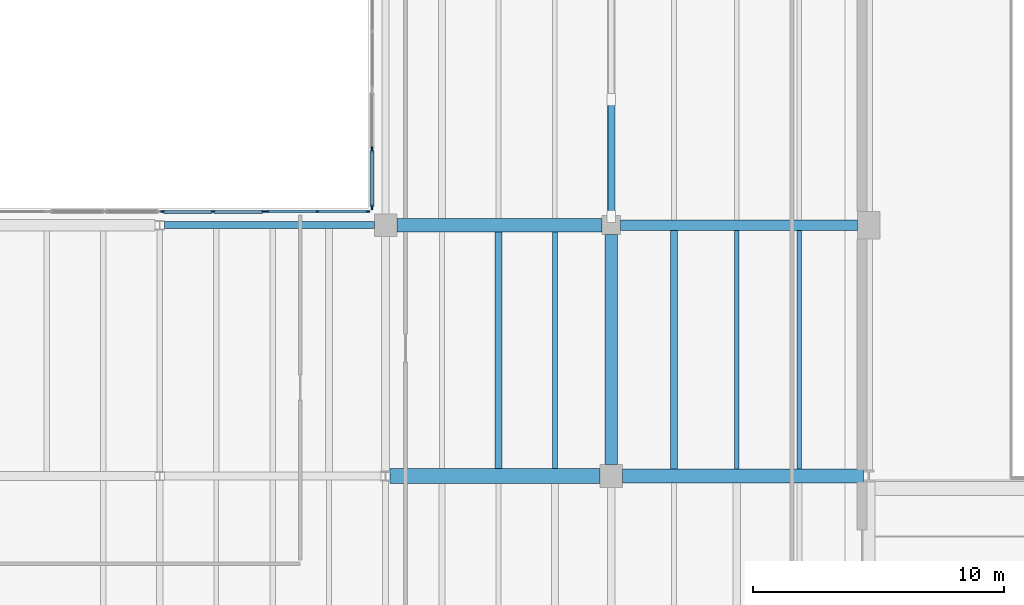
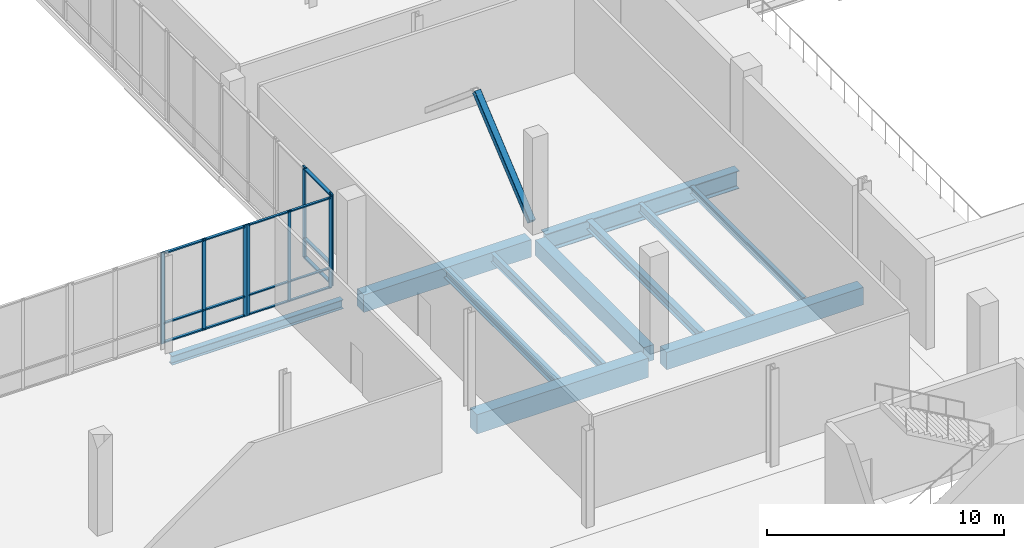
# One storey, part 21 of 73: 24 members, 11 beams, 3 elements without a shape of their own.
"""IFC4 building model written with IfcOpenShell, lengths in metres."""

from ifc_helpers import new_model, si_unit, direction, frame, origin, origin_2d, place, context, subcontext, project, spatial, rectangle, hollow_rectangle, i_section, extrude, material, material_profile, profile_set, type_object, element, aggregate, save


model = new_model("IFC4")

# Units and contexts
model_context = context("Model", 3, precision=1e-05, world=origin(), true_north=direction((0.0, 1.0)))
body_context = subcontext(model_context, "Body", "Model", "MODEL_VIEW")
ifc_project = project(units=[si_unit("LENGTHUNIT", "METRE"), si_unit("AREAUNIT", "SQUARE_METRE"), si_unit("VOLUMEUNIT", "CUBIC_METRE"), si_unit("PLANEANGLEUNIT", "RADIAN"), si_unit("MASSUNIT", "GRAM", prefix="KILO")], contexts=[model_context])

# Site, building, storey
site_placement = place(None, origin())
site = spatial("IfcSite", under=ifc_project, at=site_placement, CompositionType="ELEMENT")
building_placement = place(site_placement, origin())
building = spatial("IfcBuilding", under=site, at=building_placement, Name="Trimount Lyric Opera House", CompositionType="ELEMENT")
storey_placement = place(building_placement, frame((0.0, 0.0, 10.0)))
storey = spatial("IfcBuildingStorey", under=building, at=storey_placement, Name="L02", CompositionType="ELEMENT", Elevation=10.0)

# Beams
ifc_material_1 = material(Name="Steel ASTM A992 Grade 50", Category="steel")
ifc_material_profile_1 = material_profile(ifc_material_1, i_section(OverallWidth=0.4189453125, OverallDepth=0.927001953125, WebThickness=0.019287109375, FlangeThickness=0.031982421875, FilletRadius=0.02392578125, at=origin_2d()), Name="W36X231")
ifc_profile_set_1 = profile_set([ifc_material_profile_1], Name="Steel ASTM A992 Grade 50")
beam_type_1 = type_object("IfcBeamType", Name="B-02", PredefinedType="BEAM", material=ifc_profile_set_1)
beam_1_placement = place(storey_placement, frame((54.375, 74.0, -0.78857421875), z_axis=(1.0, 0.0, 0.0), x_axis=(0.0, 1.0, 0.0)))
element("IfcBeam", 1, at=beam_1_placement, inside=storey, type_object=beam_type_1, Name="L02 girder X-0767", PredefinedType="BEAM", context=body_context, shape_type="SweptSolid", body=[
    extrude(i_section(OverallWidth=0.4189453125, OverallDepth=0.927001953125, WebThickness=0.019287109375, FlangeThickness=0.031982421875, FilletRadius=0.02392578125, at=origin_2d()), origin(), (0.0, 0.0, 1.0), 9.43505859375),
])
ifc_material_2 = material(Name="Concrete C40/50", Category="concrete")
ifc_material_profile_2 = material_profile(ifc_material_2, rectangle(XDim=0.60009765625, YDim=1.0, at=origin_2d()), Name="RC600X1000")
ifc_profile_set_2 = profile_set([ifc_material_profile_2], Name="Concrete C40/50")
beam_type_2 = type_object("IfcBeamType", Name="B-13", PredefinedType="BEAM", material=ifc_profile_set_2)
beam_2_placement = place(storey_placement, frame((45.1865234375, 64.0, -0.780029296875), z_axis=(1.0, 0.0, 0.0), x_axis=(0.0, 1.0, 0.0)))
element("IfcBeam", 2, at=beam_2_placement, inside=storey, type_object=beam_type_2, Name="L02 girder X-0754", PredefinedType="BEAM", context=body_context, shape_type="SweptSolid", body=[
    extrude(rectangle(XDim=0.60009765625, YDim=1.0, at=origin_2d()), origin(), (0.0, 0.0, 1.0), 8.363525390625),
])
ifc_material_3 = material(Name="Concrete C40/50", Category="concrete")
ifc_material_profile_3 = material_profile(ifc_material_3, rectangle(XDim=0.550048828125, YDim=0.89990234375, at=origin_2d()), Name="RC550X900")
ifc_profile_set_3 = profile_set([ifc_material_profile_3], Name="Concrete C40/50")
beam_type_3 = type_object("IfcBeamType", Name="B-14", PredefinedType="BEAM", material=ifc_profile_set_3)
beam_3_placement = place(storey_placement, frame((54.449951171875, 64.0, -0.77490234375), z_axis=(1.0, 0.0, 0.0), x_axis=(0.0, 1.0, 0.0)))
element("IfcBeam", 3, at=beam_3_placement, inside=storey, type_object=beam_type_3, Name="L02 girder X-0755", PredefinedType="BEAM", context=body_context, shape_type="SweptSolid", body=[
    extrude(rectangle(XDim=0.550048828125, YDim=0.89990234375, at=origin_2d()), origin(), (0.0, 0.0, 1.0), 9.59912109375),
])
beam_4_placement = place(storey_placement, frame((45.449951171875, 74.0, -0.72998046875), z_axis=(1.0, 0.0, 0.0), x_axis=(0.0, 1.0, 0.0)))
element("IfcBeam", 4, at=beam_4_placement, inside=storey, type_object=beam_type_3, Name="L02 girder X-0766", PredefinedType="BEAM", context=body_context, shape_type="SweptSolid", body=[
    extrude(rectangle(XDim=0.550048828125, YDim=0.89990234375, at=origin_2d()), origin(), (0.0, 0.0, 1.0), 8.175048828125),
])
ifc_material_4 = material(Name="Concrete C40/50", Category="concrete")
ifc_material_profile_4 = material_profile(ifc_material_4, rectangle(XDim=0.5, YDim=0.800048828125, at=origin_2d()), Name="RC500X800")
ifc_profile_set_4 = profile_set([ifc_material_profile_4], Name="Concrete C40/50")
beam_type_4 = type_object("IfcBeamType", Name="B-15", PredefinedType="BEAM", material=ifc_profile_set_4)
beam_5_placement = place(storey_placement, frame((54.0, 64.449951171875, -0.679931640625), z_axis=(0.0, 1.0, 0.0), x_axis=(-1.0, 0.0, 0.0)))
element("IfcBeam", 5, at=beam_5_placement, inside=storey, type_object=beam_type_4, Name="L02 girder Y-0867", PredefinedType="BEAM", context=body_context, shape_type="SweptSolid", body=[
    extrude(rectangle(XDim=0.5, YDim=0.800048828125, at=origin_2d()), origin(), (0.0, 0.0, 1.0), 9.175048828125),
])

# Member
ifc_material_5 = material(Name="Steel ASTM A500 Grade C", Category="steel")
ifc_material_profile_5 = material_profile(ifc_material_5, hollow_rectangle(XDim=0.3046875, YDim=0.3046875, WallThickness=0.01171875, InnerFilletRadius=0.01220703125, OuterFilletRadius=0.02392578125, at=origin_2d()), Name="HSS304.8X304.8X12.7")
ifc_profile_set_5 = profile_set([ifc_material_profile_5], Name="Steel ASTM A500 Grade C")
member_type_1 = type_object("IfcMemberType", Name="BR-02", PredefinedType="BRACE", material=ifc_profile_set_5)
member_1_placement = place(storey_placement, frame((54.0, 74.35009765625, 0.14990234375), z_axis=(0.0, 0.766173014074, 0.642634353661), x_axis=(-1.0, 0.0, 0.0)))
element("IfcMember", 6, at=member_1_placement, inside=storey, type_object=member_type_1, Name="L02 lateral chevron brace BF-2.1", PredefinedType="BRACE", context=body_context, shape_type="SweptSolid", body=[
    extrude(hollow_rectangle(XDim=0.3046875, YDim=0.3046875, WallThickness=0.01171875, InnerFilletRadius=0.01220703125, OuterFilletRadius=0.02392578125, at=origin_2d()), origin(), (0.0, 0.0, 1.0), 6.069091796875),
])

# Beams
ifc_material_6 = material(Name="Steel ASTM A992 Grade 50", Category="steel")
ifc_material_profile_6 = material_profile(ifc_material_6, i_section(OverallWidth=0.281982421875, OverallDepth=0.467041015625, WebThickness=0.01220703125, FlangeThickness=0.01953125, FilletRadius=0.012939453125, at=origin_2d()), Name="W18X86")
ifc_profile_set_6 = profile_set([ifc_material_profile_6], Name="Steel ASTM A992 Grade 50")
beam_type_5 = type_object("IfcBeamType", Name="J-03", PredefinedType="BEAM", material=ifc_profile_set_6)
beam_6_placement = place(storey_placement, frame((49.5, 64.2958984375, -0.513427734375), z_axis=(0.0, 1.0, 0.0), x_axis=(-1.0, 0.0, 0.0)))
element("IfcBeam", 7, at=beam_6_placement, inside=storey, type_object=beam_type_5, Name="L02 composite floor joist 0858", PredefinedType="BEAM", context=body_context, shape_type="SweptSolid", body=[
    extrude(i_section(OverallWidth=0.281982421875, OverallDepth=0.467041015625, WebThickness=0.01220703125, FlangeThickness=0.01953125, FilletRadius=0.012939453125, at=origin_2d()), origin(), (0.0, 0.0, 1.0), 9.43310546875),
])
beam_7_placement = place(storey_placement, frame((56.5, 64.27099609375, -0.513427734375), z_axis=(0.0, 1.0, 0.0), x_axis=(-1.0, 0.0, 0.0)))
element("IfcBeam", 8, at=beam_7_placement, inside=storey, type_object=beam_type_5, Name="L02 composite floor joist 0884", PredefinedType="BEAM", context=body_context, shape_type="SweptSolid", body=[
    extrude(i_section(OverallWidth=0.281982421875, OverallDepth=0.467041015625, WebThickness=0.01220703125, FlangeThickness=0.01953125, FilletRadius=0.012939453125, at=origin_2d()), origin(), (0.0, 0.0, 1.0), 9.5234375),
])
ifc_material_7 = material(Name="Steel ASTM A992 Grade 50", Category="steel")
ifc_material_profile_7 = material_profile(ifc_material_7, i_section(OverallWidth=0.19091796875, OverallDepth=0.45703125, WebThickness=0.009033203125, FlangeThickness=0.014404296875, FilletRadius=0.010986328125, at=origin_2d()), Name="W18X50")
ifc_profile_set_7 = profile_set([ifc_material_profile_7], Name="Steel ASTM A992 Grade 50")
beam_type_6 = type_object("IfcBeamType", Name="J-04", PredefinedType="BEAM", material=ifc_profile_set_7)
beam_8_placement = place(storey_placement, frame((51.75, 64.2958984375, -0.508544921875), z_axis=(0.0, 1.0, 0.0), x_axis=(-1.0, 0.0, 0.0)))
element("IfcBeam", 9, at=beam_8_placement, inside=storey, type_object=beam_type_6, Name="L02 composite floor joist 0859", PredefinedType="BEAM", context=body_context, shape_type="SweptSolid", body=[
    extrude(i_section(OverallWidth=0.19091796875, OverallDepth=0.45703125, WebThickness=0.009033203125, FlangeThickness=0.014404296875, FilletRadius=0.010986328125, at=origin_2d()), origin(), (0.0, 0.0, 1.0), 9.43310546875),
])
beam_9_placement = place(storey_placement, frame((59.0, 64.27099609375, -0.508544921875), z_axis=(0.0, 1.0, 0.0), x_axis=(-1.0, 0.0, 0.0)))
element("IfcBeam", 10, at=beam_9_placement, inside=storey, type_object=beam_type_6, Name="L02 composite floor joist 0885", PredefinedType="BEAM", context=body_context, shape_type="SweptSolid", body=[
    extrude(i_section(OverallWidth=0.19091796875, OverallDepth=0.45703125, WebThickness=0.009033203125, FlangeThickness=0.014404296875, FilletRadius=0.010986328125, at=origin_2d()), origin(), (0.0, 0.0, 1.0), 9.5234375),
])
ifc_material_8 = material(Name="Steel ASTM A992 Grade 50", Category="steel")
ifc_material_profile_8 = material_profile(ifc_material_8, i_section(OverallWidth=0.180908203125, OverallDepth=0.4169921875, WebThickness=0.010986328125, FlangeThickness=0.018310546875, FilletRadius=0.010986328125, at=origin_2d()), Name="W16X57")
ifc_profile_set_8 = profile_set([ifc_material_profile_8], Name="Steel ASTM A992 Grade 50")
beam_type_7 = type_object("IfcBeamType", Name="J-05", PredefinedType="BEAM", material=ifc_profile_set_8)
beam_10_placement = place(storey_placement, frame((61.5, 64.27099609375, -0.488525390625), z_axis=(0.0, 1.0, 0.0), x_axis=(-1.0, 0.0, 0.0)))
element("IfcBeam", 11, at=beam_10_placement, inside=storey, type_object=beam_type_7, Name="L02 composite floor joist 0886", PredefinedType="BEAM", context=body_context, shape_type="SweptSolid", body=[
    extrude(i_section(OverallWidth=0.180908203125, OverallDepth=0.4169921875, WebThickness=0.010986328125, FlangeThickness=0.018310546875, FilletRadius=0.010986328125, at=origin_2d()), origin(), (0.0, 0.0, 1.0), 9.5234375),
])

# Curtain wall, members
ifc_material_9 = material(Name="Thermally Broken Aluminium and Low-E Glass", Category="aluminium")
curtain_wall_type = type_object("IfcCurtainWallType", Name="CW-03", PredefinedType="NOTDEFINED", material=ifc_material_9)
curtain_wall_1_placement = place(storey_placement, origin())
curtain_wall_1 = element("IfcCurtainWall", 12, at=curtain_wall_1_placement, inside=storey, type_object=curtain_wall_type, Name="L02 curtain wall 204", PredefinedType="NOTDEFINED")
ifc_material_10 = material(Name="Anodised Aluminium 6063-T6", Category="aluminium")
ifc_material_profile_9 = material_profile(ifc_material_10, rectangle(XDim=0.070068359375, YDim=0.219970703125, at=origin_2d()), Name="ALU-MULL-70X220")
ifc_profile_set_9 = profile_set([ifc_material_profile_9], Name="Anodised Aluminium 6063-T6")
member_type_2 = type_object("IfcMemberType", Name="ML-01", PredefinedType="MULLION", material=ifc_profile_set_9)
member_2_placement = place(storey_placement, frame((44.4599609375, 74.715087890625, 0.0), z_axis=(0.0, 0.0, 1.0), x_axis=(-1.0, 0.0, 0.0)))
member_2 = element("IfcMember", 13, at=member_2_placement, type_object=member_type_2, Name="CW-03 mullion 1", PredefinedType="MULLION", context=body_context, shape_type="SweptSolid", body=[
    extrude(rectangle(XDim=0.070068359375, YDim=0.219970703125, at=origin_2d()), origin(), (0.0, 0.0, 1.0), 4.719970703125),
])
member_3_placement = place(storey_placement, frame((44.4599609375, 77.010009765625, 0.0), z_axis=(0.0, 0.0, 1.0), x_axis=(-1.0, 0.0, 0.0)))
member_3 = element("IfcMember", 14, at=member_3_placement, type_object=member_type_2, Name="CW-03 mullion 2", PredefinedType="MULLION", context=body_context, shape_type="SweptSolid", body=[
    extrude(rectangle(XDim=0.070068359375, YDim=0.219970703125, at=origin_2d()), origin(), (0.0, 0.0, 1.0), 4.719970703125),
])

curtain_wall_2_placement = place(storey_placement, origin())
curtain_wall_2 = element("IfcCurtainWall", 15, at=curtain_wall_2_placement, inside=storey, type_object=curtain_wall_type, Name="L02 curtain wall 202", PredefinedType="NOTDEFINED")
ifc_material_11 = material(Name="Anodised Aluminium 6063-T6", Category="aluminium")
ifc_material_profile_10 = material_profile(ifc_material_11, rectangle(XDim=0.06494140625, YDim=0.179931640625, at=origin_2d()), Name="ALU-MULL-65X180")
ifc_profile_set_10 = profile_set([ifc_material_profile_10], Name="Anodised Aluminium 6063-T6")
member_type_3 = type_object("IfcMemberType", Name="ML-02", PredefinedType="MULLION", material=ifc_profile_set_10)
member_4_placement = place(storey_placement, frame((36.12255859375, 74.5400390625, 0.0), z_axis=(0.0, 0.0, 1.0), x_axis=(0.0, 1.0, 0.0)))
member_4 = element("IfcMember", 16, at=member_4_placement, type_object=member_type_3, Name="CW-03 mullion 1", PredefinedType="MULLION", context=body_context, shape_type="SweptSolid", body=[
    extrude(rectangle(XDim=0.06494140625, YDim=0.179931640625, at=origin_2d()), origin(), (0.0, 0.0, 1.0), 4.719970703125),
])
member_5_placement = place(storey_placement, frame((38.125, 74.5400390625, 0.0), z_axis=(0.0, 0.0, 1.0), x_axis=(0.0, 1.0, 0.0)))
member_5 = element("IfcMember", 17, at=member_5_placement, type_object=member_type_3, Name="CW-03 mullion 2", PredefinedType="MULLION", context=body_context, shape_type="SweptSolid", body=[
    extrude(rectangle(XDim=0.06494140625, YDim=0.179931640625, at=origin_2d()), origin(), (0.0, 0.0, 1.0), 4.719970703125),
])
member_6_placement = place(storey_placement, frame((40.12744140625, 74.5400390625, 0.0), z_axis=(0.0, 0.0, 1.0), x_axis=(0.0, 1.0, 0.0)))
member_6 = element("IfcMember", 18, at=member_6_placement, type_object=member_type_3, Name="CW-03 mullion 3", PredefinedType="MULLION", context=body_context, shape_type="SweptSolid", body=[
    extrude(rectangle(XDim=0.06494140625, YDim=0.179931640625, at=origin_2d()), origin(), (0.0, 0.0, 1.0), 4.719970703125),
])

curtain_wall_3_placement = place(storey_placement, origin())
curtain_wall_3 = element("IfcCurtainWall", 19, at=curtain_wall_3_placement, inside=storey, type_object=curtain_wall_type, Name="L02 curtain wall 203", PredefinedType="NOTDEFINED")
ifc_material_12 = material(Name="Anodised Aluminium 6063-T6", Category="aluminium")
ifc_material_profile_11 = material_profile(ifc_material_12, rectangle(XDim=0.06005859375, YDim=0.14990234375, at=origin_2d()), Name="ALU-MULL-60X150")
ifc_profile_set_11 = profile_set([ifc_material_profile_11], Name="Anodised Aluminium 6063-T6")
member_type_4 = type_object("IfcMemberType", Name="ML-03", PredefinedType="MULLION", material=ifc_profile_set_11)
member_7_placement = place(storey_placement, frame((40.280029296875, 74.5400390625, 0.0), z_axis=(0.0, 0.0, 1.0), x_axis=(0.0, 1.0, 0.0)))
member_7 = element("IfcMember", 20, at=member_7_placement, type_object=member_type_4, Name="CW-03 mullion 1", PredefinedType="MULLION", context=body_context, shape_type="SweptSolid", body=[
    extrude(rectangle(XDim=0.06005859375, YDim=0.14990234375, at=origin_2d()), origin(), (0.0, 0.0, 1.0), 4.719970703125),
])
member_8_placement = place(storey_placement, frame((42.284912109375, 74.5400390625, 0.0), z_axis=(0.0, 0.0, 1.0), x_axis=(0.0, 1.0, 0.0)))
member_8 = element("IfcMember", 21, at=member_8_placement, type_object=member_type_4, Name="CW-03 mullion 2", PredefinedType="MULLION", context=body_context, shape_type="SweptSolid", body=[
    extrude(rectangle(XDim=0.06005859375, YDim=0.14990234375, at=origin_2d()), origin(), (0.0, 0.0, 1.0), 4.719970703125),
])
member_9_placement = place(storey_placement, frame((44.2900390625, 74.5400390625, 0.0), z_axis=(0.0, 0.0, 1.0), x_axis=(0.0, 1.0, 0.0)))
member_9 = element("IfcMember", 22, at=member_9_placement, type_object=member_type_4, Name="CW-03 mullion 3", PredefinedType="MULLION", context=body_context, shape_type="SweptSolid", body=[
    extrude(rectangle(XDim=0.06005859375, YDim=0.14990234375, at=origin_2d()), origin(), (0.0, 0.0, 1.0), 4.719970703125),
])

# Beam
ifc_material_13 = material(Name="Steel ASTM A992 Grade 50", Category="steel")
ifc_material_profile_12 = material_profile(ifc_material_13, i_section(OverallWidth=0.281982421875, OverallDepth=0.467041015625, WebThickness=0.01220703125, FlangeThickness=0.01953125, FilletRadius=0.012939453125, at=origin_2d()), Name="W18X86")
ifc_profile_set_12 = profile_set([ifc_material_profile_12], Name="Steel ASTM A992 Grade 50")
beam_type_8 = type_object("IfcBeamType", Name="SP-01", PredefinedType="SPANDREL", material=ifc_profile_set_12)
beam_11_placement = place(storey_placement, frame((36.1865234375, 74.0, -0.513427734375), z_axis=(1.0, 0.0, 0.0), x_axis=(0.0, 1.0, 0.0)))
element("IfcBeam", 23, at=beam_11_placement, inside=storey, type_object=beam_type_8, Name="L02 girder X-0765", PredefinedType="SPANDREL", context=body_context, shape_type="SweptSolid", body=[
    extrude(i_section(OverallWidth=0.281982421875, OverallDepth=0.467041015625, WebThickness=0.01220703125, FlangeThickness=0.01953125, FilletRadius=0.012939453125, at=origin_2d()), origin(), (0.0, 0.0, 1.0), 8.363525390625),
])

# Member
ifc_material_14 = material(Name="Anodised Aluminium 6063-T6", Category="aluminium")
ifc_material_profile_13 = material_profile(ifc_material_14, rectangle(XDim=0.159912109375, YDim=0.070068359375, at=origin_2d()), Name="ALU-TRAN-70X160")
ifc_profile_set_13 = profile_set([ifc_material_profile_13], Name="Anodised Aluminium 6063-T6")
member_type_5 = type_object("IfcMemberType", Name="TR-01", PredefinedType="USERDEFINED", material=ifc_profile_set_13)
member_10_placement = place(storey_placement, frame((44.4599609375, 74.75, 0.080078125), z_axis=(0.0, 1.0, 0.0), x_axis=(-1.0, 0.0, 0.0)))
member_10 = element("IfcMember", 24, at=member_10_placement, type_object=member_type_5, Name="CW-03 transom 1.1", ObjectType="TRANSOM", PredefinedType="USERDEFINED", context=body_context, shape_type="SweptSolid", body=[
    extrude(rectangle(XDim=0.159912109375, YDim=0.070068359375, at=origin_2d()), origin(), (0.0, 0.0, 1.0), 2.22509765625),
])

member_11_placement = place(storey_placement, frame((44.4599609375, 74.75, 1.050048828125), z_axis=(0.0, 1.0, 0.0), x_axis=(-1.0, 0.0, 0.0)))
member_11 = element("IfcMember", 25, at=member_11_placement, type_object=member_type_5, Name="CW-03 transom 1.2", ObjectType="TRANSOM", PredefinedType="USERDEFINED", context=body_context, shape_type="SweptSolid", body=[
    extrude(rectangle(XDim=0.159912109375, YDim=0.070068359375, at=origin_2d()), origin(), (0.0, 0.0, 1.0), 2.22509765625),
])

member_12_placement = place(storey_placement, frame((44.4599609375, 74.75, 4.639892578125), z_axis=(0.0, 1.0, 0.0), x_axis=(-1.0, 0.0, 0.0)))
member_12 = element("IfcMember", 26, at=member_12_placement, type_object=member_type_5, Name="CW-03 transom 1.3", ObjectType="TRANSOM", PredefinedType="USERDEFINED", context=body_context, shape_type="SweptSolid", body=[
    extrude(rectangle(XDim=0.159912109375, YDim=0.070068359375, at=origin_2d()), origin(), (0.0, 0.0, 1.0), 2.22509765625),
])

aggregate(curtain_wall_1, [member_2, member_3, member_10, member_11, member_12])

ifc_material_15 = material(Name="Anodised Aluminium 6063-T6", Category="aluminium")
ifc_material_profile_14 = material_profile(ifc_material_15, rectangle(XDim=0.135009765625, YDim=0.06494140625, at=origin_2d()), Name="ALU-TRAN-65X135")
ifc_profile_set_14 = profile_set([ifc_material_profile_14], Name="Anodised Aluminium 6063-T6")
member_type_6 = type_object("IfcMemberType", Name="TR-02", PredefinedType="USERDEFINED", material=ifc_profile_set_14)
member_13_placement = place(storey_placement, frame((36.155029296875, 74.5400390625, 0.0673828125), z_axis=(1.0, 0.0, 0.0), x_axis=(0.0, 1.0, 0.0)))
member_13 = element("IfcMember", 27, at=member_13_placement, type_object=member_type_6, Name="CW-03 transom 1.1", ObjectType="TRANSOM", PredefinedType="USERDEFINED", context=body_context, shape_type="SweptSolid", body=[
    extrude(rectangle(XDim=0.135009765625, YDim=0.06494140625, at=origin_2d()), origin(), (0.0, 0.0, 1.0), 1.9375),
])

member_14_placement = place(storey_placement, frame((36.155029296875, 74.5400390625, 1.050048828125), z_axis=(1.0, 0.0, 0.0), x_axis=(0.0, 1.0, 0.0)))
member_14 = element("IfcMember", 28, at=member_14_placement, type_object=member_type_6, Name="CW-03 transom 1.2", ObjectType="TRANSOM", PredefinedType="USERDEFINED", context=body_context, shape_type="SweptSolid", body=[
    extrude(rectangle(XDim=0.135009765625, YDim=0.06494140625, at=origin_2d()), origin(), (0.0, 0.0, 1.0), 1.9375),
])

member_15_placement = place(storey_placement, frame((36.155029296875, 74.5400390625, 4.652587890625), z_axis=(1.0, 0.0, 0.0), x_axis=(0.0, 1.0, 0.0)))
member_15 = element("IfcMember", 29, at=member_15_placement, type_object=member_type_6, Name="CW-03 transom 1.3", ObjectType="TRANSOM", PredefinedType="USERDEFINED", context=body_context, shape_type="SweptSolid", body=[
    extrude(rectangle(XDim=0.135009765625, YDim=0.06494140625, at=origin_2d()), origin(), (0.0, 0.0, 1.0), 1.9375),
])

member_16_placement = place(storey_placement, frame((38.157470703125, 74.5400390625, 0.0673828125), z_axis=(1.0, 0.0, 0.0), x_axis=(0.0, 1.0, 0.0)))
member_16 = element("IfcMember", 30, at=member_16_placement, type_object=member_type_6, Name="CW-03 transom 2.1", ObjectType="TRANSOM", PredefinedType="USERDEFINED", context=body_context, shape_type="SweptSolid", body=[
    extrude(rectangle(XDim=0.135009765625, YDim=0.06494140625, at=origin_2d()), origin(), (0.0, 0.0, 1.0), 1.9375),
])

member_17_placement = place(storey_placement, frame((38.157470703125, 74.5400390625, 1.050048828125), z_axis=(1.0, 0.0, 0.0), x_axis=(0.0, 1.0, 0.0)))
member_17 = element("IfcMember", 31, at=member_17_placement, type_object=member_type_6, Name="CW-03 transom 2.2", ObjectType="TRANSOM", PredefinedType="USERDEFINED", context=body_context, shape_type="SweptSolid", body=[
    extrude(rectangle(XDim=0.135009765625, YDim=0.06494140625, at=origin_2d()), origin(), (0.0, 0.0, 1.0), 1.9375),
])

member_18_placement = place(storey_placement, frame((38.157470703125, 74.5400390625, 4.652587890625), z_axis=(1.0, 0.0, 0.0), x_axis=(0.0, 1.0, 0.0)))
member_18 = element("IfcMember", 32, at=member_18_placement, type_object=member_type_6, Name="CW-03 transom 2.3", ObjectType="TRANSOM", PredefinedType="USERDEFINED", context=body_context, shape_type="SweptSolid", body=[
    extrude(rectangle(XDim=0.135009765625, YDim=0.06494140625, at=origin_2d()), origin(), (0.0, 0.0, 1.0), 1.9375),
])

aggregate(curtain_wall_2, [member_4, member_5, member_6, member_13, member_14, member_15, member_16, member_17, member_18])

ifc_material_16 = material(Name="Anodised Aluminium 6063-T6", Category="aluminium")
ifc_material_profile_15 = material_profile(ifc_material_16, rectangle(XDim=0.114990234375, YDim=0.06005859375, at=origin_2d()), Name="ALU-TRAN-60X115")
ifc_profile_set_15 = profile_set([ifc_material_profile_15], Name="Anodised Aluminium 6063-T6")
member_type_7 = type_object("IfcMemberType", Name="TR-03", PredefinedType="USERDEFINED", material=ifc_profile_set_15)
member_19_placement = place(storey_placement, frame((40.31005859375, 74.5400390625, 0.0576171875), z_axis=(1.0, 0.0, 0.0), x_axis=(0.0, 1.0, 0.0)))
member_19 = element("IfcMember", 33, at=member_19_placement, type_object=member_type_7, Name="CW-03 transom 1.1", ObjectType="TRANSOM", PredefinedType="USERDEFINED", context=body_context, shape_type="SweptSolid", body=[
    extrude(rectangle(XDim=0.114990234375, YDim=0.06005859375, at=origin_2d()), origin(), (0.0, 0.0, 1.0), 1.94482421875),
])

member_20_placement = place(storey_placement, frame((40.31005859375, 74.5400390625, 1.050048828125), z_axis=(1.0, 0.0, 0.0), x_axis=(0.0, 1.0, 0.0)))
member_20 = element("IfcMember", 34, at=member_20_placement, type_object=member_type_7, Name="CW-03 transom 1.2", ObjectType="TRANSOM", PredefinedType="USERDEFINED", context=body_context, shape_type="SweptSolid", body=[
    extrude(rectangle(XDim=0.114990234375, YDim=0.06005859375, at=origin_2d()), origin(), (0.0, 0.0, 1.0), 1.94482421875),
])

member_21_placement = place(storey_placement, frame((40.31005859375, 74.5400390625, 4.66259765625), z_axis=(1.0, 0.0, 0.0), x_axis=(0.0, 1.0, 0.0)))
member_21 = element("IfcMember", 35, at=member_21_placement, type_object=member_type_7, Name="CW-03 transom 1.3", ObjectType="TRANSOM", PredefinedType="USERDEFINED", context=body_context, shape_type="SweptSolid", body=[
    extrude(rectangle(XDim=0.114990234375, YDim=0.06005859375, at=origin_2d()), origin(), (0.0, 0.0, 1.0), 1.94482421875),
])

member_22_placement = place(storey_placement, frame((42.31494140625, 74.5400390625, 0.0576171875), z_axis=(1.0, 0.0, 0.0), x_axis=(0.0, 1.0, 0.0)))
member_22 = element("IfcMember", 36, at=member_22_placement, type_object=member_type_7, Name="CW-03 transom 2.1", ObjectType="TRANSOM", PredefinedType="USERDEFINED", context=body_context, shape_type="SweptSolid", body=[
    extrude(rectangle(XDim=0.114990234375, YDim=0.06005859375, at=origin_2d()), origin(), (0.0, 0.0, 1.0), 1.945068359375),
])

member_23_placement = place(storey_placement, frame((42.31494140625, 74.5400390625, 1.050048828125), z_axis=(1.0, 0.0, 0.0), x_axis=(0.0, 1.0, 0.0)))
member_23 = element("IfcMember", 37, at=member_23_placement, type_object=member_type_7, Name="CW-03 transom 2.2", ObjectType="TRANSOM", PredefinedType="USERDEFINED", context=body_context, shape_type="SweptSolid", body=[
    extrude(rectangle(XDim=0.114990234375, YDim=0.06005859375, at=origin_2d()), origin(), (0.0, 0.0, 1.0), 1.945068359375),
])

member_24_placement = place(storey_placement, frame((42.31494140625, 74.5400390625, 4.66259765625), z_axis=(1.0, 0.0, 0.0), x_axis=(0.0, 1.0, 0.0)))
member_24 = element("IfcMember", 38, at=member_24_placement, type_object=member_type_7, Name="CW-03 transom 2.3", ObjectType="TRANSOM", PredefinedType="USERDEFINED", context=body_context, shape_type="SweptSolid", body=[
    extrude(rectangle(XDim=0.114990234375, YDim=0.06005859375, at=origin_2d()), origin(), (0.0, 0.0, 1.0), 1.945068359375),
])

aggregate(curtain_wall_3, [member_7, member_8, member_9, member_19, member_20, member_21, member_22, member_23, member_24])

save(model, "model.ifc")
